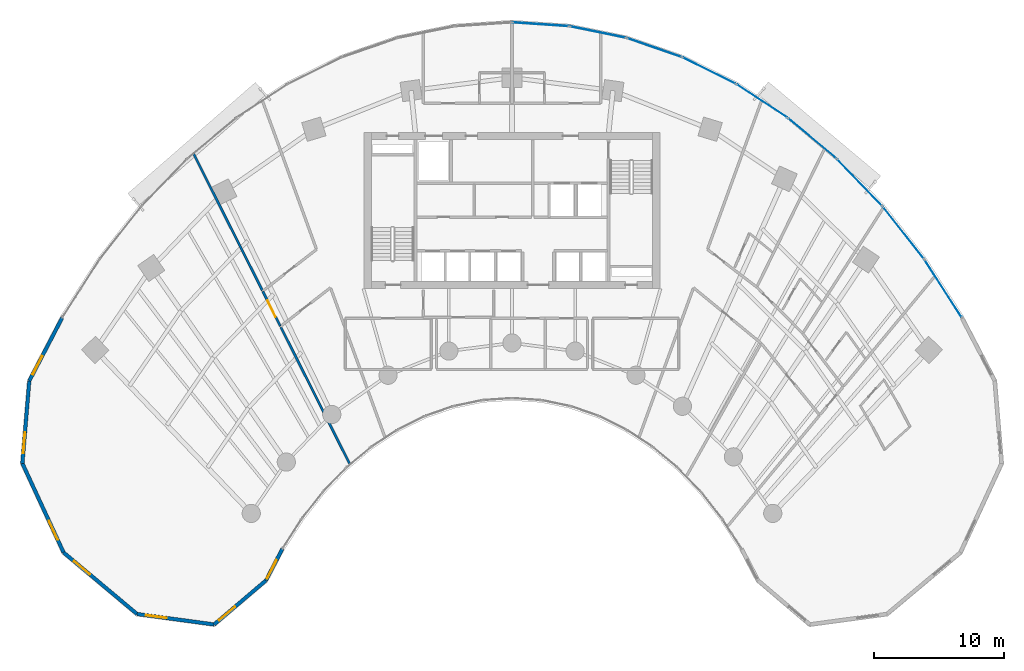
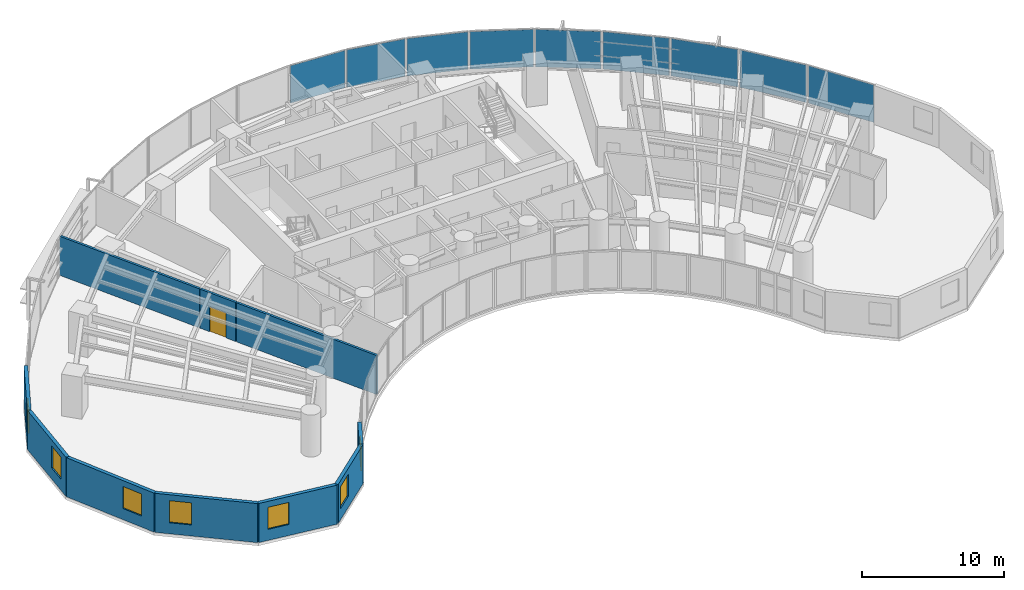
# One storey, part 10 of 17: 10 walls, 9 plates, 7 windows, 1 door, 8 openings, 9 elements without a shape of their own.
"""IFC4 building model written with IfcOpenShell, lengths in metres."""

from ifc_helpers import new_model, si_unit, direction, frame, frame_2d, origin, origin_2d, place, context, subcontext, project, spatial, rectangle, extrude, source, transform, mapped, material, layer, layer_set, type_object, type_shapes, element, fill, aggregate, save


model = new_model("IFC4")

# Units and contexts
model_context = context("Model", 3, precision=1e-05, world=origin(), true_north=direction((0.0, 1.0)))
body_context = subcontext(model_context, "Body", "Model", "MODEL_VIEW")
ifc_project = project(units=[si_unit("LENGTHUNIT", "METRE"), si_unit("AREAUNIT", "SQUARE_METRE"), si_unit("VOLUMEUNIT", "CUBIC_METRE"), si_unit("PLANEANGLEUNIT", "RADIAN"), si_unit("MASSUNIT", "GRAM", prefix="KILO")], contexts=[model_context])

# Site, building, storey
site_placement = place(None, origin())
site = spatial("IfcSite", under=ifc_project, at=site_placement, CompositionType="ELEMENT")
building_placement = place(site_placement, origin())
building = spatial("IfcBuilding", under=site, at=building_placement, Name="Breltana Convention Tower", CompositionType="ELEMENT")
storey_placement = place(building_placement, frame((0.0, 0.0, 60.60009765625)))
storey = spatial("IfcBuildingStorey", under=building, at=storey_placement, Name="L13", CompositionType="ELEMENT", Elevation=60.60009765625)

# Curtain wall, plate
ifc_material_1 = material(Name="Aluminium Anodised Bronze Frame", Category="aluminium")
ifc_layer_1 = layer(ifc_material_1, 0.199951171875, Name="Aluminium Anodised Bronze Frame")
ifc_layer_set_1 = layer_set([ifc_layer_1], Name="Aluminium Anodised Bronze Frame")
curtain_wall_type = type_object("IfcCurtainWallType", Name="CW-SYS-2", PredefinedType="NOTDEFINED", material=ifc_layer_set_1)
curtain_wall_1_placement = place(storey_placement, origin())
curtain_wall_1 = element("IfcCurtainWall", 1, at=curtain_wall_1_placement, inside=storey, type_object=curtain_wall_type, Name="L13 outer double-skin inner glazing 17", PredefinedType="NOTDEFINED")
ifc_material_2 = material(Name="Glass Low-E Double Glazing", Category="glass")
ifc_layer_2 = layer(ifc_material_2, 0.031982421875, Name="Glass Low-E Double Glazing")
ifc_layer_set_2 = layer_set([ifc_layer_2], Name="Glass Low-E Double Glazing")
plate_type = type_object("IfcPlateType", Name="CWP-IGU-32", PredefinedType="CURTAIN_PANEL", material=ifc_layer_set_2)
shared_shape_1 = source(origin(), body_context, "Body", "SweptSolid", [
    extrude(rectangle(XDim=5.0546875, YDim=0.031982421875, at=origin_2d()), origin(), (0.0, 0.0, 1.0), 3.219970703125),
])
plate_1_placement = place(storey_placement, frame((78.038818359375, 64.504638671875, 0.06982421875), z_axis=(0.0, 0.0, 1.0), x_axis=(0.618153917633, -0.786057080698, 0.0)))
plate_1 = element("IfcPlate", 2, at=plate_1_placement, type_object=plate_type, Name="CW-02 panel 1.1", PredefinedType="CURTAIN_PANEL", context=body_context, shape_type="MappedRepresentation", body=[
    mapped(shared_shape_1, transform((0.0, 0.0, 0.0), scale=1.0)),
])
aggregate(curtain_wall_1, [plate_1])

curtain_wall_2_placement = place(storey_placement, origin())
curtain_wall_2 = element("IfcCurtainWall", 3, at=curtain_wall_2_placement, inside=storey, type_object=curtain_wall_type, Name="L13 outer double-skin inner glazing 16", PredefinedType="NOTDEFINED")
shared_shape_2 = source(origin(), body_context, "Body", "SweptSolid", [
    extrude(rectangle(XDim=4.901123046875, YDim=0.031982421875, at=origin_2d()), origin(), (0.0, 0.0, 1.0), 3.219970703125),
])
plate_2_placement = place(storey_placement, frame((74.682373046875, 68.359619140625, 0.06982421875), z_axis=(0.0, 0.0, 1.0), x_axis=(0.694610090106, -0.719386421003, 0.0)))
plate_2 = element("IfcPlate", 4, at=plate_2_placement, type_object=plate_type, Name="CW-02 panel 1.1", PredefinedType="CURTAIN_PANEL", context=body_context, shape_type="MappedRepresentation", body=[
    mapped(shared_shape_2, transform((0.0, 0.0, 0.0), scale=1.0)),
])
aggregate(curtain_wall_2, [plate_2])

curtain_wall_3_placement = place(storey_placement, origin())
curtain_wall_3 = element("IfcCurtainWall", 5, at=curtain_wall_3_placement, inside=storey, type_object=curtain_wall_type, Name="L13 outer double-skin inner glazing 15", PredefinedType="NOTDEFINED")
shared_shape_3 = source(origin(), body_context, "Body", "SweptSolid", [
    extrude(rectangle(XDim=4.7509765625, YDim=0.031982421875, at=origin_2d()), origin(), (0.0, 0.0, 1.0), 3.219970703125),
])
plate_3_placement = place(storey_placement, frame((71.0537109375, 71.7392578125, 0.06982421875), z_axis=(0.0, 0.0, 1.0), x_axis=(0.767941326958, -0.640520193554, 0.0)))
plate_3 = element("IfcPlate", 6, at=plate_3_placement, type_object=plate_type, Name="CW-02 panel 1.1", PredefinedType="CURTAIN_PANEL", context=body_context, shape_type="MappedRepresentation", body=[
    mapped(shared_shape_3, transform((0.0, 0.0, 0.0), scale=1.0)),
])
aggregate(curtain_wall_3, [plate_3])

curtain_wall_4_placement = place(storey_placement, origin())
curtain_wall_4 = element("IfcCurtainWall", 7, at=curtain_wall_4_placement, inside=storey, type_object=curtain_wall_type, Name="L13 outer double-skin inner glazing 14", PredefinedType="NOTDEFINED")
shared_shape_4 = source(origin(), body_context, "Body", "SweptSolid", [
    extrude(rectangle(XDim=4.610595703125, YDim=0.031982421875, at=origin_2d()), origin(), (0.0, 0.0, 1.0), 3.219970703125),
])
plate_4_placement = place(storey_placement, frame((67.18994140625, 74.609130859375, 0.06982421875), z_axis=(0.0, 0.0, 1.0), x_axis=(0.83596401875, -0.548784255746, 0.0)))
plate_4 = element("IfcPlate", 8, at=plate_4_placement, type_object=plate_type, Name="CW-02 panel 1.1", PredefinedType="CURTAIN_PANEL", context=body_context, shape_type="MappedRepresentation", body=[
    mapped(shared_shape_4, transform((0.0, 0.0, 0.0), scale=1.0)),
])
aggregate(curtain_wall_4, [plate_4])

curtain_wall_5_placement = place(storey_placement, origin())
curtain_wall_5 = element("IfcCurtainWall", 9, at=curtain_wall_5_placement, inside=storey, type_object=curtain_wall_type, Name="L13 outer double-skin inner glazing 13", PredefinedType="NOTDEFINED")
shared_shape_5 = source(origin(), body_context, "Body", "SweptSolid", [
    extrude(rectangle(XDim=4.487548828125, YDim=0.031982421875, at=origin_2d()), origin(), (0.0, 0.0, 1.0), 3.219970703125),
])
plate_5_placement = place(storey_placement, frame((63.13134765625, 76.940185546875, 0.06982421875), z_axis=(0.0, 0.0, 1.0), x_axis=(0.895973407804, -0.444107703726, 0.0)))
plate_5 = element("IfcPlate", 10, at=plate_5_placement, type_object=plate_type, Name="CW-02 panel 1.1", PredefinedType="CURTAIN_PANEL", context=body_context, shape_type="MappedRepresentation", body=[
    mapped(shared_shape_5, transform((0.0, 0.0, 0.0), scale=1.0)),
])
aggregate(curtain_wall_5, [plate_5])

curtain_wall_6_placement = place(storey_placement, origin())
curtain_wall_6 = element("IfcCurtainWall", 11, at=curtain_wall_6_placement, inside=storey, type_object=curtain_wall_type, Name="L13 outer double-skin inner glazing 12", PredefinedType="NOTDEFINED")
shared_shape_6 = source(origin(), body_context, "Body", "SweptSolid", [
    extrude(rectangle(XDim=4.388427734375, YDim=0.031982421875, at=origin_2d()), origin(), (0.0, 0.0, 1.0), 3.219970703125),
])
plate_6_placement = place(storey_placement, frame((58.9189453125, 78.709228515625, 0.06982421875), z_axis=(0.0, 0.0, 1.0), x_axis=(0.944876012163, -0.32742834581, 0.0)))
plate_6 = element("IfcPlate", 12, at=plate_6_placement, type_object=plate_type, Name="CW-02 panel 1.1", PredefinedType="CURTAIN_PANEL", context=body_context, shape_type="MappedRepresentation", body=[
    mapped(shared_shape_6, transform((0.0, 0.0, 0.0), scale=1.0)),
])
aggregate(curtain_wall_6, [plate_6])

curtain_wall_7_placement = place(storey_placement, origin())
curtain_wall_7 = element("IfcCurtainWall", 13, at=curtain_wall_7_placement, inside=storey, type_object=curtain_wall_type, Name="L13 outer double-skin inner glazing 11", PredefinedType="NOTDEFINED")
shared_shape_7 = source(origin(), body_context, "Body", "SweptSolid", [
    extrude(rectangle(XDim=4.318359375, YDim=0.031982421875, at=origin_2d()), origin(), (0.0, 0.0, 1.0), 3.219970703125),
])
plate_7_placement = place(storey_placement, frame((54.595703125, 79.898193359375, 0.06982421875), z_axis=(0.0, 0.0, 1.0), x_axis=(0.979614925743, -0.200884537139, 0.0)))
plate_7 = element("IfcPlate", 14, at=plate_7_placement, type_object=plate_type, Name="CW-02 panel 1.1", PredefinedType="CURTAIN_PANEL", context=body_context, shape_type="MappedRepresentation", body=[
    mapped(shared_shape_7, transform((0.0, 0.0, 0.0), scale=1.0)),
])
aggregate(curtain_wall_7, [plate_7])

curtain_wall_8_placement = place(storey_placement, origin())
curtain_wall_8 = element("IfcCurtainWall", 15, at=curtain_wall_8_placement, inside=storey, type_object=curtain_wall_type, Name="L13 outer double-skin inner glazing 10", PredefinedType="NOTDEFINED")
shared_shape_8 = source(origin(), body_context, "Body", "SweptSolid", [
    extrude(rectangle(XDim=4.2822265625, YDim=0.031982421875, at=origin_2d()), origin(), (0.0, 0.0, 1.0), 3.219970703125),
])
plate_8_placement = place(storey_placement, frame((50.2060546875, 80.495849609375, 0.06982421875), z_axis=(0.0, 0.0, 1.0), x_axis=(0.997703982282, -0.067725650529, 0.0)))
plate_8 = element("IfcPlate", 16, at=plate_8_placement, type_object=plate_type, Name="CW-02 panel 1.1", PredefinedType="CURTAIN_PANEL", context=body_context, shape_type="MappedRepresentation", body=[
    mapped(shared_shape_8, transform((0.0, 0.0, 0.0), scale=1.0)),
])
aggregate(curtain_wall_8, [plate_8])

curtain_wall_9_placement = place(storey_placement, origin())
curtain_wall_9 = element("IfcCurtainWall", 17, at=curtain_wall_9_placement, inside=storey, type_object=curtain_wall_type, Name="L13 outer double-skin inner glazing 18", PredefinedType="NOTDEFINED")
shared_shape_9 = source(origin(), body_context, "Body", "SweptSolid", [
    extrude(rectangle(XDim=5.20556640625, YDim=0.031982421875, at=origin_2d()), origin(), (0.0, 0.0, 1.0), 3.219970703125),
])
plate_9_placement = place(storey_placement, frame((81.088134765625, 60.2138671875, 0.06982421875), z_axis=(0.0, 0.0, 1.0), x_axis=(0.540180724109, -0.841549039154, 0.0)))
plate_9 = element("IfcPlate", 18, at=plate_9_placement, type_object=plate_type, Name="CW-02 panel 1.1", PredefinedType="CURTAIN_PANEL", context=body_context, shape_type="MappedRepresentation", body=[
    mapped(shared_shape_9, transform((0.0, 0.0, 0.0), scale=1.0)),
])
aggregate(curtain_wall_9, [plate_9])

# Wall, opening, window
ifc_material_3 = material(Name="Limestone Buff Insulated Wall", Category="masonry")
ifc_layer_3 = layer(ifc_material_3, 0.280029296875, Name="Limestone Buff Insulated Wall")
ifc_layer_set_3 = layer_set([ifc_layer_3], Name="Limestone Buff Insulated Wall")
wall_type_1 = type_object("IfcWallType", Name="WL-EXT-NOSE-280", PredefinedType="SOLIDWALL", material=ifc_layer_set_3)
shared_shape_10 = source(origin(), body_context, "Body", "SweptSolid", [
    extrude(rectangle(XDim=6.3525390625, YDim=0.280029296875, at=frame_2d((3.17626953125, 0.0))), origin(), (0.0, 0.0, 1.0), 3.35986328125),
])
wall_1_placement = place(storey_placement, frame((10.417724609375, 46.79150390625, 0.0), z_axis=(0.0, 0.0, 1.0), x_axis=(0.083319001377, 0.996522926986, 0.0)))
wall_1 = element("IfcWall", 19, at=wall_1_placement, inside=storey, type_object=wall_type_1, Name="L13 curved limestone nose wall W6", PredefinedType="SOLIDWALL", context=body_context, shape_type="MappedRepresentation", body=[
    mapped(shared_shape_10, transform((0.0, 0.0, 0.0), scale=1.0)),
])
opening_1_placement = place(wall_1_placement, frame((0.7880859375, 0.0, 0.949951171875)))
opening_1 = element("IfcOpeningElement", 20, at=opening_1_placement, cuts=wall_1, Name="Opening W-04", PredefinedType="OPENING", context=body_context, shape_type="SweptSolid", body=[
    extrude(rectangle(XDim=1.60009765625, YDim=1.89990234375, at=frame_2d((0.800048828125, 0.949951171875))), frame((0.0, 0.14990234375, 0.0), z_axis=(0.0, -1.0, 0.0), x_axis=(1.0, 0.0, 0.0)), (0.0, 0.0, 1.0), 0.300048828125),
])
ifc_material_4 = material(Name="Glass Low-E Insulated Window", Category="glass")
window_type = type_object("IfcWindowType", Name="WN-NOSE-1600X1900", PartitioningType="SINGLE_PANEL", PredefinedType="WINDOW", material=ifc_material_4)
shared_shape_11 = source(origin(), body_context, "Body", "SweptSolid", [
    extrude(rectangle(XDim=1.60009765625, YDim=1.89990234375, at=frame_2d((0.800048828125, 0.949951171875))), frame((0.0, 0.030029296875, 0.0), z_axis=(0.0, -1.0, 0.0), x_axis=(1.0, 0.0, 0.0)), (0.0, 0.0, 1.0), 0.06005859375),
])
type_shapes(window_type, [shared_shape_11])
window_1_placement = place(opening_1_placement, origin())
window_1 = element("IfcWindow", 21, at=window_1_placement, inside=storey, type_object=window_type, Name="L13 nose window W6", OverallHeight=1.89990234375, OverallWidth=1.60009765625, PartitioningType="SINGLE_PANEL", PredefinedType="WINDOW", context=body_context, shape_type="MappedRepresentation", body=[
    mapped(shared_shape_11, transform((0.0, 0.0, 0.0), scale=1.0)),
])
fill(opening_1, window_1)

shared_shape_12 = source(origin(), body_context, "Body", "SweptSolid", [
    extrude(rectangle(XDim=7.536376953125, YDim=0.280029296875, at=frame_2d((3.76806640625, 0.0))), origin(), (0.0, 0.0, 1.0), 3.35986328125),
])
wall_2_placement = place(storey_placement, frame((13.580322265625, 39.950927734375, 0.0), z_axis=(0.0, 0.0, 1.0), x_axis=(-0.41964973873, 0.907686122393, 0.0)))
wall_2 = element("IfcWall", 22, at=wall_2_placement, inside=storey, type_object=wall_type_1, Name="L13 curved limestone nose wall W5", PredefinedType="SOLIDWALL", context=body_context, shape_type="MappedRepresentation", body=[
    mapped(shared_shape_12, transform((0.0, 0.0, 0.0), scale=1.0)),
])
opening_2_placement = place(wall_2_placement, frame((1.083984375, 0.0, 0.949951171875)))
opening_2 = element("IfcOpeningElement", 23, at=opening_2_placement, cuts=wall_2, Name="Opening W-04", PredefinedType="OPENING", context=body_context, shape_type="SweptSolid", body=[
    extrude(rectangle(XDim=1.60009765625, YDim=1.89990234375, at=frame_2d((0.800048828125, 0.949951171875))), frame((0.0, 0.14990234375, 0.0), z_axis=(0.0, -1.0, 0.0), x_axis=(1.0, 0.0, 0.0)), (0.0, 0.0, 1.0), 0.300048828125),
])
window_2_placement = place(opening_2_placement, origin())
window_2 = element("IfcWindow", 24, at=window_2_placement, inside=storey, type_object=window_type, Name="L13 nose window W5", OverallHeight=1.89990234375, OverallWidth=1.60009765625, PartitioningType="SINGLE_PANEL", PredefinedType="WINDOW", context=body_context, shape_type="MappedRepresentation", body=[
    mapped(shared_shape_11, transform((0.0, 0.0, 0.0), scale=1.0)),
])
fill(opening_2, window_2)

shared_shape_13 = source(origin(), body_context, "Body", "SweptSolid", [
    extrude(rectangle(XDim=7.35888671875, YDim=0.280029296875, at=frame_2d((3.679443359375, 0.0))), origin(), (0.0, 0.0, 1.0), 3.35986328125),
])
wall_3_placement = place(storey_placement, frame((19.22265625, 35.226806640625, 0.0), z_axis=(0.0, 0.0, 1.0), x_axis=(-0.766737165543, 0.641961150675, 0.0)))
wall_3 = element("IfcWall", 25, at=wall_3_placement, inside=storey, type_object=wall_type_1, Name="L13 curved limestone nose wall W4", PredefinedType="SOLIDWALL", context=body_context, shape_type="MappedRepresentation", body=[
    mapped(shared_shape_13, transform((0.0, 0.0, 0.0), scale=1.0)),
])
opening_3_placement = place(wall_3_placement, frame((4.71923828125, 0.0, 0.949951171875)))
opening_3 = element("IfcOpeningElement", 26, at=opening_3_placement, cuts=wall_3, Name="Opening W-04", PredefinedType="OPENING", context=body_context, shape_type="SweptSolid", body=[
    extrude(rectangle(XDim=1.60009765625, YDim=1.89990234375, at=frame_2d((0.800048828125, 0.949951171875))), frame((0.0, 0.14990234375, 0.0), z_axis=(0.0, -1.0, 0.0), x_axis=(1.0, 0.0, 0.0)), (0.0, 0.0, 1.0), 0.300048828125),
])
window_3_placement = place(opening_3_placement, origin())
window_3 = element("IfcWindow", 27, at=window_3_placement, inside=storey, type_object=window_type, Name="L13 nose window W4", OverallHeight=1.89990234375, OverallWidth=1.60009765625, PartitioningType="SINGLE_PANEL", PredefinedType="WINDOW", context=body_context, shape_type="MappedRepresentation", body=[
    mapped(shared_shape_11, transform((0.0, 0.0, 0.0), scale=1.0)),
])
fill(opening_3, window_3)

shared_shape_14 = source(origin(), body_context, "Body", "SweptSolid", [
    extrude(rectangle(XDim=5.96728515625, YDim=0.280029296875, at=frame_2d((2.983642578125, 0.0))), origin(), (0.0, 0.0, 1.0), 3.35986328125),
])
wall_4_placement = place(storey_placement, frame((25.1357421875, 34.4248046875, 0.0), z_axis=(0.0, 0.0, 1.0), x_axis=(-0.990927009341, 0.134401124099, 0.0)))
wall_4 = element("IfcWall", 28, at=wall_4_placement, inside=storey, type_object=wall_type_1, Name="L13 curved limestone nose wall W3", PredefinedType="SOLIDWALL", context=body_context, shape_type="MappedRepresentation", body=[
    mapped(shared_shape_14, transform((0.0, 0.0, 0.0), scale=1.0)),
])
opening_4_placement = place(wall_4_placement, frame((3.675537109375, 0.0, 0.949951171875)))
opening_4 = element("IfcOpeningElement", 29, at=opening_4_placement, cuts=wall_4, Name="Opening W-04", PredefinedType="OPENING", context=body_context, shape_type="SweptSolid", body=[
    extrude(rectangle(XDim=1.60009765625, YDim=1.89990234375, at=frame_2d((0.800048828125, 0.949951171875))), frame((0.0, 0.14990234375, 0.0), z_axis=(0.0, -1.0, 0.0), x_axis=(1.0, 0.0, 0.0)), (0.0, 0.0, 1.0), 0.300048828125),
])
window_4_placement = place(opening_4_placement, origin())
window_4 = element("IfcWindow", 30, at=window_4_placement, inside=storey, type_object=window_type, Name="L13 nose window W3", OverallHeight=1.89990234375, OverallWidth=1.60009765625, PartitioningType="SINGLE_PANEL", PredefinedType="WINDOW", context=body_context, shape_type="MappedRepresentation", body=[
    mapped(shared_shape_11, transform((0.0, 0.0, 0.0), scale=1.0)),
])
fill(opening_4, window_4)

shared_shape_15 = source(origin(), body_context, "Body", "SweptSolid", [
    extrude(rectangle(XDim=5.222412109375, YDim=0.280029296875, at=frame_2d((2.611328125, 0.0))), origin(), (0.0, 0.0, 1.0), 3.35986328125),
])
wall_5_placement = place(storey_placement, frame((29.11474609375, 37.807373046875, 0.0), z_axis=(0.0, 0.0, 1.0), x_axis=(-0.761900099546, -0.647694556339, 0.0)))
wall_5 = element("IfcWall", 31, at=wall_5_placement, inside=storey, type_object=wall_type_1, Name="L13 curved limestone nose wall W2", PredefinedType="SOLIDWALL", context=body_context, shape_type="MappedRepresentation", body=[
    mapped(shared_shape_15, transform((0.0, 0.0, 0.0), scale=1.0)),
])
opening_5_placement = place(wall_5_placement, frame((3.11669921875, 0.0, 0.949951171875)))
opening_5 = element("IfcOpeningElement", 32, at=opening_5_placement, cuts=wall_5, Name="Opening W-04", PredefinedType="OPENING", context=body_context, shape_type="SweptSolid", body=[
    extrude(rectangle(XDim=1.60009765625, YDim=1.89990234375, at=frame_2d((0.800048828125, 0.949951171875))), frame((0.0, 0.14990234375, 0.0), z_axis=(0.0, -1.0, 0.0), x_axis=(1.0, 0.0, 0.0)), (0.0, 0.0, 1.0), 0.300048828125),
])
window_5_placement = place(opening_5_placement, origin())
window_5 = element("IfcWindow", 33, at=window_5_placement, inside=storey, type_object=window_type, Name="L13 nose window W2", OverallHeight=1.89990234375, OverallWidth=1.60009765625, PartitioningType="SINGLE_PANEL", PredefinedType="WINDOW", context=body_context, shape_type="MappedRepresentation", body=[
    mapped(shared_shape_11, transform((0.0, 0.0, 0.0), scale=1.0)),
])
fill(opening_5, window_5)

shared_shape_16 = source(origin(), body_context, "Body", "SweptSolid", [
    extrude(rectangle(XDim=2.7353515625, YDim=0.280029296875, at=frame_2d((1.36767578125, 0.0))), origin(), (0.0, 0.0, 1.0), 3.35986328125),
])
wall_6_placement = place(storey_placement, frame((30.3779296875, 40.233642578125, 0.0), z_axis=(0.0, 0.0, 1.0), x_axis=(-0.46179107292, -0.886988728774, 0.0)))
wall_6 = element("IfcWall", 34, at=wall_6_placement, inside=storey, type_object=wall_type_1, Name="L13 curved limestone nose wall W1", PredefinedType="SOLIDWALL", context=body_context, shape_type="MappedRepresentation", body=[
    mapped(shared_shape_16, transform((0.0, 0.0, 0.0), scale=1.0)),
])
opening_6_placement = place(wall_6_placement, frame((0.9755859375, 0.0, 0.949951171875)))
opening_6 = element("IfcOpeningElement", 35, at=opening_6_placement, cuts=wall_6, Name="Opening W-04", PredefinedType="OPENING", context=body_context, shape_type="SweptSolid", body=[
    extrude(rectangle(XDim=1.60009765625, YDim=1.89990234375, at=frame_2d((0.800048828125, 0.949951171875))), frame((0.0, 0.14990234375, 0.0), z_axis=(0.0, -1.0, 0.0), x_axis=(1.0, 0.0, 0.0)), (0.0, 0.0, 1.0), 0.300048828125),
])
window_6_placement = place(opening_6_placement, origin())
window_6 = element("IfcWindow", 36, at=window_6_placement, inside=storey, type_object=window_type, Name="L13 nose window W1", OverallHeight=1.89990234375, OverallWidth=1.60009765625, PartitioningType="SINGLE_PANEL", PredefinedType="WINDOW", context=body_context, shape_type="MappedRepresentation", body=[
    mapped(shared_shape_11, transform((0.0, 0.0, 0.0), scale=1.0)),
])
fill(opening_6, window_6)

shared_shape_17 = source(origin(), body_context, "Body", "SweptSolid", [
    extrude(rectangle(XDim=5.45947265625, YDim=0.280029296875, at=frame_2d((2.729736328125, 0.0))), origin(), (0.0, 0.0, 1.0), 3.35986328125),
])
wall_7_placement = place(storey_placement, frame((10.947021484375, 53.1220703125, 0.0), z_axis=(0.0, 0.0, 1.0), x_axis=(0.461768054321, 0.887000712518, 0.0)))
wall_7 = element("IfcWall", 37, at=wall_7_placement, inside=storey, type_object=wall_type_1, Name="L13 curved limestone nose wall W7", PredefinedType="SOLIDWALL", context=body_context, shape_type="MappedRepresentation", body=[
    mapped(shared_shape_17, transform((0.0, 0.0, 0.0), scale=1.0)),
])
opening_7_placement = place(wall_7_placement, frame((0.56494140625, 0.0, 0.949951171875)))
opening_7 = element("IfcOpeningElement", 38, at=opening_7_placement, cuts=wall_7, Name="Opening W-04", PredefinedType="OPENING", context=body_context, shape_type="SweptSolid", body=[
    extrude(rectangle(XDim=1.60009765625, YDim=1.89990234375, at=frame_2d((0.800048828125, 0.949951171875))), frame((0.0, 0.14990234375, 0.0), z_axis=(0.0, -1.0, 0.0), x_axis=(1.0, 0.0, 0.0)), (0.0, 0.0, 1.0), 0.300048828125),
])
window_7_placement = place(opening_7_placement, origin())
window_7 = element("IfcWindow", 39, at=window_7_placement, inside=storey, type_object=window_type, Name="L13 nose window W7", OverallHeight=1.89990234375, OverallWidth=1.60009765625, PartitioningType="SINGLE_PANEL", PredefinedType="WINDOW", context=body_context, shape_type="MappedRepresentation", body=[
    mapped(shared_shape_11, transform((0.0, 0.0, 0.0), scale=1.0)),
])
fill(opening_7, window_7)

# Wall, opening, door
ifc_material_5 = material(Name="Moisture-Resistant Gypsum Chase Wall")
ifc_layer_4 = layer(ifc_material_5, 0.179931640625, Name="Moisture-Resistant Gypsum Chase Wall")
ifc_layer_set_4 = layer_set([ifc_layer_4], Name="Moisture-Resistant Gypsum Chase Wall")
wall_type_2 = type_object("IfcWallType", Name="WL-PLUMB-180", PredefinedType="PLUMBINGWALL", material=ifc_layer_set_4)
shared_shape_18 = source(origin(), body_context, "Body", "SweptSolid", [
    extrude(rectangle(XDim=2.985107421875, YDim=0.179931640625, at=frame_2d((1.49267578125, 0.0))), origin(), (0.0, 0.0, 1.0), 3.35986328125),
])
wall_8_placement = place(storey_placement, frame((30.2177734375, 57.326904296875, 0.0), z_axis=(0.0, 0.0, 1.0), x_axis=(-0.449665526069, 0.893197018952, 0.0)))
wall_8 = element("IfcWall", 40, at=wall_8_placement, inside=storey, type_object=wall_type_2, Name="L13 interior partition W-L13-SPAW-ENT", PredefinedType="PLUMBINGWALL", context=body_context, shape_type="MappedRepresentation", body=[
    mapped(shared_shape_18, transform((0.0, 0.0, 0.0), scale=1.0)),
])
opening_8_placement = place(wall_8_placement, frame((0.79248046875, 0.0, 0.0)))
opening_8 = element("IfcOpeningElement", 41, at=opening_8_placement, cuts=wall_8, Name="Opening D-05", PredefinedType="OPENING", context=body_context, shape_type="SweptSolid", body=[
    extrude(rectangle(XDim=1.39990234375, YDim=2.14990234375, at=frame_2d((0.699951171875, 1.074951171875))), frame((0.0, 0.10009765625, 0.0), z_axis=(0.0, -1.0, 0.0), x_axis=(1.0, 0.0, 0.0)), (0.0, 0.0, 1.0), 0.199951171875),
])
ifc_material_6 = material(Name="Timber Veneer Glazed Double Door", Category="wood")
door_type = type_object("IfcDoorType", Name="DR-DBL-1400", OperationType="DOUBLE_DOOR_SINGLE_SWING", PredefinedType="DOOR", material=ifc_material_6)
shared_shape_19 = source(origin(), body_context, "Body", "SweptSolid", [
    extrude(rectangle(XDim=1.39990234375, YDim=2.14990234375, at=frame_2d((0.699951171875, 1.074951171875))), frame((0.0, 0.02490234375, 0.0), z_axis=(0.0, -1.0, 0.0), x_axis=(1.0, 0.0, 0.0)), (0.0, 0.0, 1.0), 0.050048828125),
])
type_shapes(door_type, [shared_shape_19])
door_placement = place(opening_8_placement, origin())
door = element("IfcDoor", 42, at=door_placement, inside=storey, type_object=door_type, Name="L13 interior door D-L13-SPAW", OperationType="SINGLE_SWING_RIGHT", OverallHeight=2.14990234375, OverallWidth=1.39990234375, PredefinedType="DOOR", context=body_context, shape_type="MappedRepresentation", body=[
    mapped(shared_shape_19, transform((0.0, 0.0, 0.0), scale=1.0)),
])
fill(opening_8, door)

# Walls
shared_shape_20 = source(origin(), body_context, "Body", "SweptSolid", [
    extrude(rectangle(XDim=11.760986328125, YDim=0.179931640625, at=frame_2d((5.88037109375, 0.0))), origin(), (0.0, 0.0, 1.0), 3.35986328125),
])
wall_9_placement = place(storey_placement, frame((28.842041015625, 60.059814453125, 0.0), z_axis=(0.0, 0.0, 1.0), x_axis=(-0.449611686329, 0.893224121661, 0.0)))
element("IfcWall", 43, at=wall_9_placement, inside=storey, type_object=wall_type_2, Name="L13 interior partition W-L13-SPAO1-RA", PredefinedType="PLUMBINGWALL", context=body_context, shape_type="MappedRepresentation", body=[
    mapped(shared_shape_20, transform((0.0, 0.0, 0.0), scale=1.0)),
])
shared_shape_21 = source(origin(), body_context, "Body", "SweptSolid", [
    extrude(rectangle(XDim=11.81103515625, YDim=0.179931640625, at=frame_2d((5.905517578125, 0.0))), origin(), (0.0, 0.0, 1.0), 3.35986328125),
])
wall_10_placement = place(storey_placement, frame((35.561767578125, 46.71044921875, 0.0), z_axis=(0.0, 0.0, 1.0), x_axis=(-0.449626289102, 0.893216771086, 0.0)))
element("IfcWall", 44, at=wall_10_placement, inside=storey, type_object=wall_type_2, Name="L13 interior partition W-L13-SPAI1-RA", PredefinedType="PLUMBINGWALL", context=body_context, shape_type="MappedRepresentation", body=[
    mapped(shared_shape_21, transform((0.0, 0.0, 0.0), scale=1.0)),
])

save(model, "model.ifc")
